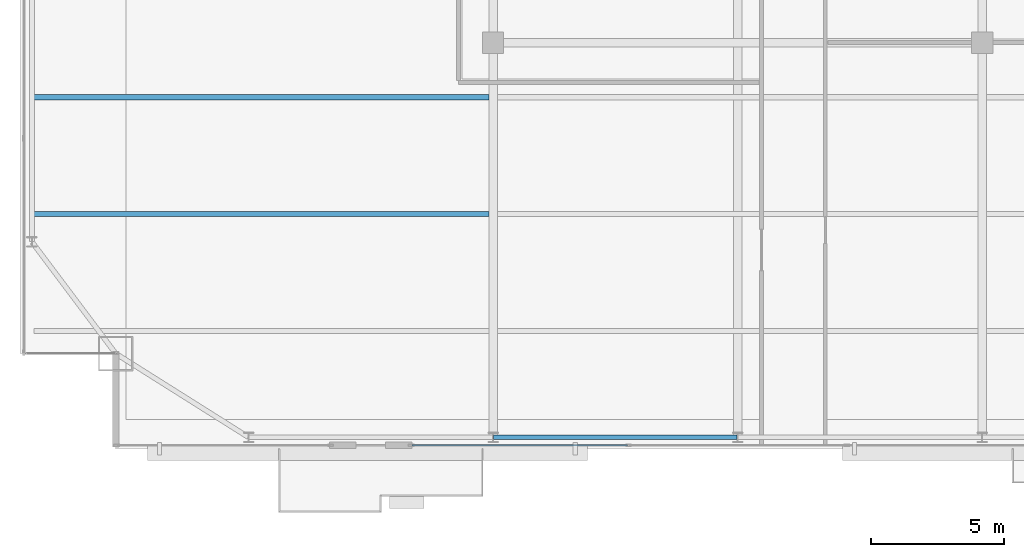
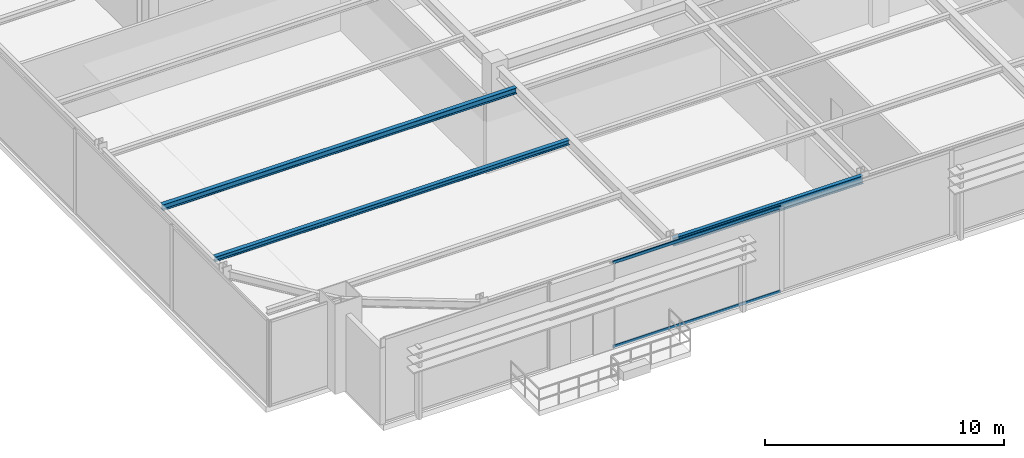
# One storey, part 7 of 25: 3 beams, 2 members, 1 element without a shape of its own.
"""IFC4 building model written with IfcOpenShell, lengths in metres."""

from ifc_helpers import new_model, si_unit, direction, frame, origin, origin_2d, place, context, subcontext, project, spatial, hollow_rectangle, i_section, extrude, source, transform, mapped, material, layer, layer_set, material_profile, profile_set, type_object, type_shapes, element, aggregate, save


model = new_model("IFC4")

# Units and contexts
model_context = context("Model", 3, precision=1e-05, world=origin(), true_north=direction((0.0, 1.0)))
body_context = subcontext(model_context, "Body", "Model", "MODEL_VIEW")
ifc_project = project(units=[si_unit("LENGTHUNIT", "METRE"), si_unit("AREAUNIT", "SQUARE_METRE"), si_unit("VOLUMEUNIT", "CUBIC_METRE"), si_unit("PLANEANGLEUNIT", "RADIAN"), si_unit("MASSUNIT", "GRAM", prefix="KILO")], contexts=[model_context])

# Site, building, storey
site_placement = place(None, origin())
site = spatial("IfcSite", under=ifc_project, at=site_placement, CompositionType="ELEMENT")
building_placement = place(site_placement, origin())
building = spatial("IfcBuilding", under=site, at=building_placement, Name="Varnel Quay Broadcast Tower", CompositionType="ELEMENT")
storey_placement = place(building_placement, frame((0.0, 0.0, 191.39990234375)))
storey = spatial("IfcBuildingStorey", under=building, at=storey_placement, Name="L47", CompositionType="ELEMENT", Elevation=191.39990234375)

# Beams
ifc_material_1 = material(Name="Structural Steel CSA G40.21 350W", Category="steel")
ifc_material_profile_1 = material_profile(ifc_material_1, i_section(OverallWidth=0.180908203125, OverallDepth=0.4169921875, WebThickness=0.010986328125, FlangeThickness=0.018310546875, FilletRadius=0.011962890625, at=origin_2d()), Name="W410X85")
ifc_profile_set_1 = profile_set([ifc_material_profile_1], Name="Structural Steel CSA G40.21 350W")
beam_type_1 = type_object("IfcBeamType", Name="Beam_W410X85", PredefinedType="SPANDREL", material=ifc_profile_set_1)
shared_shape_1 = source(origin(), body_context, "Body", "SweptSolid", [
    extrude(i_section(OverallWidth=0.180908203125, OverallDepth=0.4169921875, WebThickness=0.010986328125, FlangeThickness=0.018310546875, FilletRadius=0.011962890625, at=origin_2d()), origin(), (0.0, 0.0, 1.0), 9.159912109375),
])
type_shapes(beam_type_1, [shared_shape_1])
beam_1_placement = place(storey_placement, frame((24.820068359375, 7.64990234375, 4.1416015625), z_axis=(1.0, 0.0, 0.0), x_axis=(0.0, 1.0, 0.0)))
element("IfcBeam", 1, at=beam_1_placement, inside=storey, type_object=beam_type_1, Name="L47 South Spandrel TC-S2-TC-S3", PredefinedType="SPANDREL", context=body_context, shape_type="MappedRepresentation", body=[
    mapped(shared_shape_1, transform((0.0, 0.0, 0.0), x_axis=(1.0, 0.0, 0.0), y_axis=(0.0, 1.0, 0.0), z_axis=(0.0, 0.0, 1.0), scale=1.0)),
])
ifc_material_profile_2 = material_profile(ifc_material_1, i_section(OverallWidth=0.202880859375, OverallDepth=0.302978515625, WebThickness=0.007568359375, FlangeThickness=0.01318359375, FilletRadius=0.011962890625, at=origin_2d()), Name="W310X60")
ifc_profile_set_2 = profile_set([ifc_material_profile_2], Name="Structural Steel CSA G40.21 350W")
beam_type_2 = type_object("IfcBeamType", Name="Beam_W310X60", PredefinedType="JOIST", material=ifc_profile_set_2)
shared_shape_2 = source(origin(), body_context, "Body", "SweptSolid", [
    extrude(i_section(OverallWidth=0.202880859375, OverallDepth=0.302978515625, WebThickness=0.007568359375, FlangeThickness=0.01318359375, FilletRadius=0.011962890625, at=origin_2d()), origin(), (0.0, 0.0, 1.0), 17.107177734375),
])
type_shapes(beam_type_2, [shared_shape_2])
beam_2_placement = place(storey_placement, frame((7.535400390625, 20.449951171875, 4.198486328125), z_axis=(1.0, 0.0, 0.0), x_axis=(0.0, 1.0, 0.0)))
element("IfcBeam", 2, at=beam_2_placement, inside=storey, type_object=beam_type_2, Name="L47 West Floor Joist 3", PredefinedType="JOIST", context=body_context, shape_type="MappedRepresentation", body=[
    mapped(shared_shape_2, transform((0.0, 0.0, 0.0), x_axis=(1.0, 0.0, 0.0), y_axis=(0.0, 1.0, 0.0), z_axis=(0.0, 0.0, 1.0), scale=1.0)),
])
ifc_material_profile_3 = material_profile(ifc_material_1, i_section(OverallWidth=0.201904296875, OverallDepth=0.2470703125, WebThickness=0.00732421875, FlangeThickness=0.010986328125, FilletRadius=0.010986328125, at=origin_2d()), Name="W250X49")
ifc_profile_set_3 = profile_set([ifc_material_profile_3], Name="Structural Steel CSA G40.21 350W")
beam_type_3 = type_object("IfcBeamType", Name="Beam_W250X49", PredefinedType="JOIST", material=ifc_profile_set_3)
shared_shape_3 = source(origin(), body_context, "Body", "SweptSolid", [
    extrude(i_section(OverallWidth=0.201904296875, OverallDepth=0.2470703125, WebThickness=0.00732421875, FlangeThickness=0.010986328125, FilletRadius=0.010986328125, at=origin_2d()), origin(), (0.0, 0.0, 1.0), 17.107177734375),
])
type_shapes(beam_type_3, [shared_shape_3])
beam_3_placement = place(storey_placement, frame((7.535400390625, 16.050048828125, 4.2265625), z_axis=(1.0, 0.0, 0.0), x_axis=(0.0, 1.0, 0.0)))
element("IfcBeam", 3, at=beam_3_placement, inside=storey, type_object=beam_type_3, Name="L47 West Floor Joist 2", PredefinedType="JOIST", context=body_context, shape_type="MappedRepresentation", body=[
    mapped(shared_shape_3, transform((0.0, 0.0, 0.0), x_axis=(1.0, 0.0, 0.0), y_axis=(0.0, 1.0, 0.0), z_axis=(0.0, 0.0, 1.0), scale=1.0)),
])

# Curtain wall, members
ifc_material_2 = material(Name="Anodised Bronze Aluminium 6063-T6", Category="aluminium")
ifc_layer = layer(ifc_material_2, 0.18994140625, Name="Anodised Bronze Aluminium 6063-T6")
ifc_layer_set = layer_set([ifc_layer], Name="Anodised Bronze Aluminium 6063-T6")
curtain_wall_type = type_object("IfcCurtainWallType", Name="CW_SkyObsHighVis", PredefinedType="NOTDEFINED", material=ifc_layer_set)
curtain_wall_placement = place(storey_placement, origin())
curtain_wall = element("IfcCurtainWall", 4, at=curtain_wall_placement, inside=storey, type_object=curtain_wall_type, Name="L47 South Unitised Curtain Wall 2", PredefinedType="NOTDEFINED")
ifc_material_profile_4 = material_profile(ifc_material_2, hollow_rectangle(XDim=0.06005859375, YDim=0.14501953125, WallThickness=0.00341796875, at=origin_2d()), Name="ALU60X145X3.5")
ifc_profile_set_4 = profile_set([ifc_material_profile_4], Name="Anodised Bronze Aluminium 6063-T6")
member_type = type_object("IfcMemberType", Name="Tran_CWS-05", PredefinedType="USERDEFINED", material=ifc_profile_set_4)
shared_shape_4 = source(origin(), body_context, "Body", "SweptSolid", [
    extrude(hollow_rectangle(XDim=0.06005859375, YDim=0.14501953125, WallThickness=0.00341796875, at=origin_2d()), origin(), (0.0, 0.0, 1.0), 8.100830078125),
])
type_shapes(member_type, [shared_shape_4])
member_1_placement = place(storey_placement, frame((21.7548828125, 7.35009765625, 0.030029296875), z_axis=(1.0, 0.0, 0.0), x_axis=(0.0, 1.0, 0.0)))
member_1 = element("IfcMember", 5, at=member_1_placement, type_object=member_type, Name="CWS-05 transom 1.1", ObjectType="TRANSOM", PredefinedType="USERDEFINED", context=body_context, shape_type="MappedRepresentation", body=[
    mapped(shared_shape_4, transform((0.0, 0.0, 0.0), x_axis=(1.0, 0.0, 0.0), y_axis=(0.0, 1.0, 0.0), z_axis=(0.0, 0.0, 1.0), scale=1.0)),
])
member_2_placement = place(storey_placement, frame((21.7548828125, 7.35009765625, 4.320068359375), z_axis=(1.0, 0.0, 0.0), x_axis=(0.0, 1.0, 0.0)))
member_2 = element("IfcMember", 6, at=member_2_placement, type_object=member_type, Name="CWS-05 transom 1.2", ObjectType="TRANSOM", PredefinedType="USERDEFINED", context=body_context, shape_type="MappedRepresentation", body=[
    mapped(shared_shape_4, transform((0.0, 0.0, 0.0), x_axis=(1.0, 0.0, 0.0), y_axis=(0.0, 1.0, 0.0), z_axis=(0.0, 0.0, 1.0), scale=1.0)),
])
aggregate(curtain_wall, [member_1, member_2])

save(model, "model.ifc")
